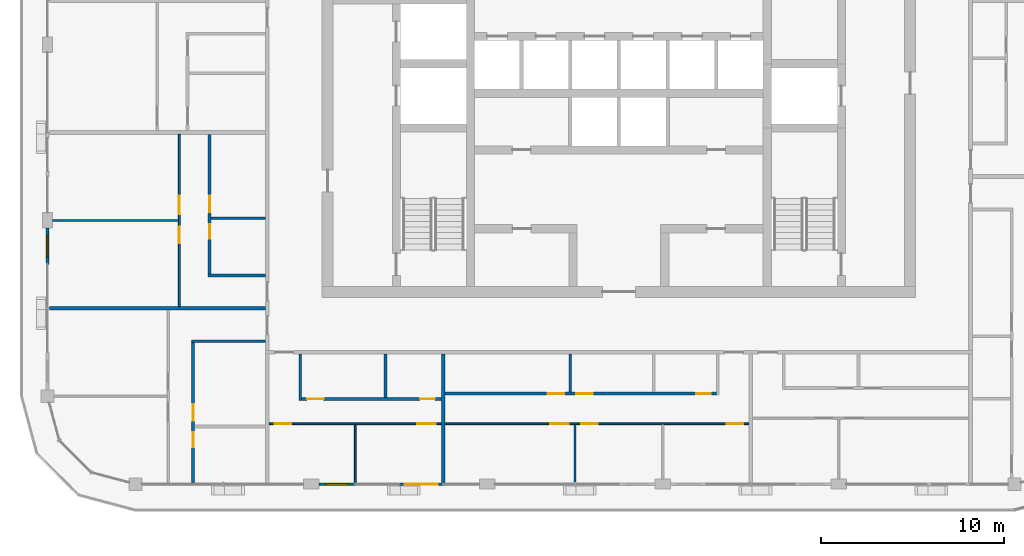
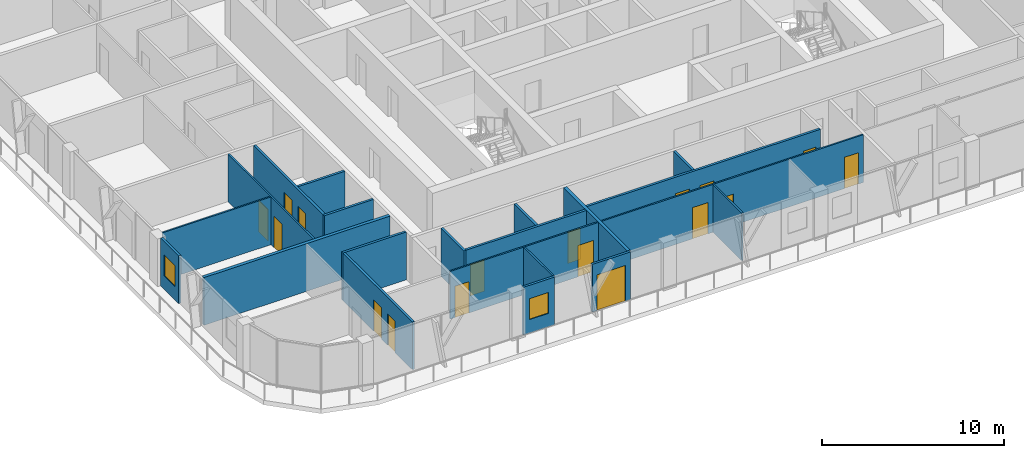
# One storey, part 9 of 21: 21 walls, 17 doors, 2 windows, 19 openings.
"""IFC4 building model written with IfcOpenShell, lengths in metres."""

from ifc_helpers import new_model, si_unit, direction, frame, frame_2d, origin, place, context, subcontext, project, spatial, rectangle, extrude, material, layer, layer_set, type_object, element, fill, save


model = new_model("IFC4")

# Units and contexts
model_context = context("Model", 3, precision=1e-05, world=origin(), true_north=direction((0.0, 1.0)))
body_context = subcontext(model_context, "Body", "Model", "MODEL_VIEW")
ifc_project = project(units=[si_unit("LENGTHUNIT", "METRE"), si_unit("AREAUNIT", "SQUARE_METRE"), si_unit("VOLUMEUNIT", "CUBIC_METRE"), si_unit("PLANEANGLEUNIT", "RADIAN"), si_unit("MASSUNIT", "GRAM", prefix="KILO")], contexts=[model_context])

# Site, building, storey
site_placement = place(None, origin())
site = spatial("IfcSite", under=ifc_project, at=site_placement, CompositionType="ELEMENT")
building_placement = place(site_placement, origin())
building = spatial("IfcBuilding", under=site, at=building_placement, Name="Madar Terraces", CompositionType="ELEMENT")
storey_placement = place(building_placement, frame((0.0, 0.0, 252.699951171875)))
storey = spatial("IfcBuildingStorey", under=building, at=storey_placement, Name="L66", CompositionType="ELEMENT", Elevation=252.699951171875)

# Wall, opening, window
ifc_material_1 = material(Name="Aluminium composite panel, black, over insulated backing", Category="aluminium")
ifc_layer_1 = layer(ifc_material_1, 0.14990234375)
ifc_layer_set_1 = layer_set([ifc_layer_1], Name="Facade bay panel 150")
wall_type_1 = type_object("IfcWallType", Name="Facade bay panel 150", PredefinedType="SOLIDWALL", material=ifc_layer_set_1)
wall_1_placement = place(storey_placement, frame((14.824951171875, 4.800048828125, 0.0), z_axis=(0.0, 0.0, 1.0), x_axis=(1.0, 0.0, 0.0)))
wall_1 = element("IfcWall", 1, at=wall_1_placement, inside=storey, type_object=wall_type_1, Name="Facade bay panel", PredefinedType="SOLIDWALL", context=body_context, shape_type="SweptSolid", body=[
    extrude(rectangle(XDim=1.97509765625, YDim=0.14990234375, at=frame_2d((0.987548828125, 0.0))), origin(), (0.0, 0.0, 1.0), 3.199951171875),
])
opening_1_placement = place(wall_1_placement, frame((0.387451171875, 0.0, 0.89990234375)))
opening_1 = element("IfcOpeningElement", 2, at=opening_1_placement, cuts=wall_1, Name="Opening W1", PredefinedType="OPENING", context=body_context, shape_type="SweptSolid", body=[
    extrude(rectangle(XDim=1.199951171875, YDim=1.39990234375, at=frame_2d((0.60009765625, 0.699951171875))), frame((0.0, 0.0849609375, 0.0), z_axis=(0.0, -1.0, 0.0), x_axis=(1.0, 0.0, 0.0)), (0.0, 0.0, 1.0), 0.169921875),
])
ifc_material_2 = material(Name="Glass, clear, with black aluminium frame", Category="aluminium")
window_type = type_object("IfcWindowType", Name="Vent window 1200 x 1400", PartitioningType="SINGLE_PANEL", PredefinedType="WINDOW", material=ifc_material_2)
window_1_placement = place(opening_1_placement, origin())
window_1 = element("IfcWindow", 3, at=window_1_placement, inside=storey, type_object=window_type, Name="Operable vent window", OverallHeight=1.39990234375, OverallWidth=1.199951171875, PartitioningType="SINGLE_PANEL", PredefinedType="WINDOW", context=body_context, shape_type="SweptSolid", body=[
    extrude(rectangle(XDim=1.199951171875, YDim=1.39990234375, at=frame_2d((0.60009765625, 0.699951171875))), frame((0.0, 0.030029296875, 0.0), z_axis=(0.0, -1.0, 0.0), x_axis=(1.0, 0.0, 0.0)), (0.0, 0.0, 1.0), 0.06005859375),
])
fill(opening_1, window_1)

# Wall, opening, door
wall_2_placement = place(storey_placement, frame((19.199951171875, 4.800048828125, 0.0), z_axis=(0.0, 0.0, 1.0), x_axis=(1.0, 0.0, 0.0)))
wall_2 = element("IfcWall", 4, at=wall_2_placement, inside=storey, type_object=wall_type_1, Name="Facade bay panel", PredefinedType="SOLIDWALL", context=body_context, shape_type="SweptSolid", body=[
    extrude(rectangle(XDim=2.400146484375, YDim=0.14990234375, at=frame_2d((1.2001953125, 0.0))), origin(), (0.0, 0.0, 1.0), 3.199951171875),
])
opening_2_placement = place(wall_2_placement, frame((0.300048828125, 0.0, 0.0)))
opening_2 = element("IfcOpeningElement", 5, at=opening_2_placement, cuts=wall_2, Name="Opening ED1", PredefinedType="OPENING", context=body_context, shape_type="SweptSolid", body=[
    extrude(rectangle(XDim=1.800048828125, YDim=2.39990234375, at=frame_2d((0.89990234375, 1.199951171875))), frame((0.0, 0.0849609375, 0.0), z_axis=(0.0, -1.0, 0.0), x_axis=(1.0, 0.0, 0.0)), (0.0, 0.0, 1.0), 0.169921875),
])
ifc_material_3 = material(Name="Glass, clear, with black aluminium frame", Category="aluminium")
door_type_1 = type_object("IfcDoorType", Name="Balcony and terrace sliding door 1800 x 2400", OperationType="SLIDING_TO_LEFT", PredefinedType="DOOR", material=ifc_material_3)
door_1_placement = place(opening_2_placement, origin())
door_1 = element("IfcDoor", 6, at=door_1_placement, inside=storey, type_object=door_type_1, Name="Balcony door", OperationType="SLIDING_TO_LEFT", OverallHeight=2.39990234375, OverallWidth=1.800048828125, PredefinedType="DOOR", context=body_context, shape_type="SweptSolid", body=[
    extrude(rectangle(XDim=1.800048828125, YDim=2.39990234375, at=frame_2d((0.89990234375, 1.199951171875))), frame((0.0, 0.02490234375, 0.0), z_axis=(0.0, -1.0, 0.0), x_axis=(1.0, 0.0, 0.0)), (0.0, 0.0, 1.0), 0.050048828125),
])
fill(opening_2, door_1)

# Wall, opening, window
wall_3_placement = place(storey_placement, frame((0.0, 18.77490234375, 0.0), z_axis=(0.0, 0.0, 1.0), x_axis=(0.0, -1.0, 0.0)))
wall_3 = element("IfcWall", 7, at=wall_3_placement, inside=storey, type_object=wall_type_1, Name="Facade bay panel", PredefinedType="SOLIDWALL", context=body_context, shape_type="SweptSolid", body=[
    extrude(rectangle(XDim=1.974853515625, YDim=0.14990234375, at=frame_2d((0.9873046875, 0.0))), origin(), (0.0, 0.0, 1.0), 3.199951171875),
])
opening_3_placement = place(wall_3_placement, frame((0.387451171875, 0.0, 0.89990234375)))
opening_3 = element("IfcOpeningElement", 8, at=opening_3_placement, cuts=wall_3, Name="Opening W1", PredefinedType="OPENING", context=body_context, shape_type="SweptSolid", body=[
    extrude(rectangle(XDim=1.199951171875, YDim=1.39990234375, at=frame_2d((0.60009765625, 0.699951171875))), frame((0.0, 0.0849609375, 0.0), z_axis=(0.0, -1.0, 0.0), x_axis=(1.0, 0.0, 0.0)), (0.0, 0.0, 1.0), 0.169921875),
])
window_2_placement = place(opening_3_placement, origin())
window_2 = element("IfcWindow", 9, at=window_2_placement, inside=storey, type_object=window_type, Name="Operable vent window", OverallHeight=1.39990234375, OverallWidth=1.199951171875, PartitioningType="SINGLE_PANEL", PredefinedType="WINDOW", context=body_context, shape_type="SweptSolid", body=[
    extrude(rectangle(XDim=1.199951171875, YDim=1.39990234375, at=frame_2d((0.60009765625, 0.699951171875))), frame((0.0, 0.030029296875, 0.0), z_axis=(0.0, -1.0, 0.0), x_axis=(1.0, 0.0, 0.0)), (0.0, 0.0, 1.0), 0.06005859375),
])
fill(opening_3, window_2)

# Wall
ifc_material_4 = material(Name="Gypsum board on steel studs", Category="steel")
ifc_layer_2 = layer(ifc_material_4, 0.10009765625)
ifc_layer_set_2 = layer_set([ifc_layer_2], Name="Flat partition 100")
wall_type_2 = type_object("IfcWallType", Name="Flat partition 100", PredefinedType="PARTITIONING", material=ifc_layer_set_2)
wall_4_placement = place(storey_placement, frame((16.800048828125, 8.050048828125, 0.0), z_axis=(0.0, 0.0, 1.0), x_axis=(0.0, -1.0, 0.0)))
element("IfcWall", 10, at=wall_4_placement, inside=storey, type_object=wall_type_2, Name="Flat partition 100", PredefinedType="PARTITIONING", context=body_context, shape_type="SweptSolid", body=[
    extrude(rectangle(XDim=3.150146484375, YDim=0.10009765625, at=frame_2d((1.5751953125, 0.0))), origin(), (0.0, 0.0, 1.0), 3.199951171875),
])

# Wall, openings, doors
wall_5_placement = place(storey_placement, frame((21.5, 8.10009765625, 0.0), z_axis=(0.0, 0.0, 1.0), x_axis=(-1.0, 0.0, 0.0)))
wall_5 = element("IfcWall", 11, at=wall_5_placement, inside=storey, type_object=wall_type_2, Name="Flat partition 100", PredefinedType="PARTITIONING", context=body_context, shape_type="SweptSolid", body=[
    extrude(rectangle(XDim=9.39990234375, YDim=0.10009765625, at=frame_2d((4.699951171875, 0.0))), origin(), (0.0, 0.0, 1.0), 3.199951171875),
])
opening_4_placement = place(wall_5_placement, frame((8.199951171875, 0.0, 0.0)))
opening_4 = element("IfcOpeningElement", 12, at=opening_4_placement, cuts=wall_5, Name="Opening D2", PredefinedType="OPENING", context=body_context, shape_type="SweptSolid", body=[
    extrude(rectangle(XDim=0.89990234375, YDim=2.10009765625, at=frame_2d((0.449951171875, 1.050048828125))), frame((0.0, 0.06005859375, 0.0), z_axis=(0.0, -1.0, 0.0), x_axis=(1.0, 0.0, 0.0)), (0.0, 0.0, 1.0), 0.1201171875),
])
opening_5_placement = place(wall_5_placement, frame((0.300048828125, 0.0, 0.0)))
opening_5 = element("IfcOpeningElement", 13, at=opening_5_placement, cuts=wall_5, Name="Opening D3", PredefinedType="OPENING", context=body_context, shape_type="SweptSolid", body=[
    extrude(rectangle(XDim=1.0, YDim=2.10009765625, at=frame_2d((0.5, 1.050048828125))), frame((0.0, 0.06005859375, 0.0), z_axis=(0.0, -1.0, 0.0), x_axis=(1.0, 0.0, 0.0)), (0.0, 0.0, 1.0), 0.1201171875),
])
ifc_material_5 = material(Name="Timber door leaf", Category="wood")
door_type_2 = type_object("IfcDoorType", Name="Flat living room door 1000", OperationType="NOTDEFINED", PredefinedType="DOOR", material=ifc_material_5)
door_2_placement = place(opening_5_placement, origin())
door_2 = element("IfcDoor", 14, at=door_2_placement, inside=storey, type_object=door_type_2, Name="Flat living room door 1000", OperationType="SINGLE_SWING_LEFT", OverallHeight=2.10009765625, OverallWidth=1.0, PredefinedType="DOOR", context=body_context, shape_type="SweptSolid", body=[
    extrude(rectangle(XDim=1.0, YDim=2.10009765625, at=frame_2d((0.5, 1.050048828125))), frame((0.0, 0.02490234375, 0.0), z_axis=(0.0, -1.0, 0.0), x_axis=(1.0, 0.0, 0.0)), (0.0, 0.0, 1.0), 0.050048828125),
])
fill(opening_5, door_2)
ifc_material_6 = material(Name="Timber door leaf", Category="wood")
door_type_3 = type_object("IfcDoorType", Name="Flat room door 900", OperationType="NOTDEFINED", PredefinedType="DOOR", material=ifc_material_6)
door_3_placement = place(opening_4_placement, origin())
door_3 = element("IfcDoor", 15, at=door_3_placement, inside=storey, type_object=door_type_3, Name="Flat room door 900", OperationType="SINGLE_SWING_RIGHT", OverallHeight=2.10009765625, OverallWidth=0.89990234375, PredefinedType="DOOR", context=body_context, shape_type="SweptSolid", body=[
    extrude(rectangle(XDim=0.89990234375, YDim=2.10009765625, at=frame_2d((0.449951171875, 1.050048828125))), frame((0.0, 0.02490234375, 0.0), z_axis=(0.0, -1.0, 0.0), x_axis=(1.0, 0.0, 0.0)), (0.0, 0.0, 1.0), 0.050048828125),
])
fill(opening_4, door_3)

# Wall
wall_6_placement = place(storey_placement, frame((28.800048828125, 8.050048828125, 0.0), z_axis=(0.0, 0.0, 1.0), x_axis=(0.0, -1.0, 0.0)))
element("IfcWall", 16, at=wall_6_placement, inside=storey, type_object=wall_type_2, Name="Flat partition 100", PredefinedType="PARTITIONING", context=body_context, shape_type="SweptSolid", body=[
    extrude(rectangle(XDim=3.150146484375, YDim=0.10009765625, at=frame_2d((1.5751953125, 0.0))), origin(), (0.0, 0.0, 1.0), 3.199951171875),
])

# Wall, openings, doors
wall_7_placement = place(storey_placement, frame((38.300048828125, 8.10009765625, 0.0), z_axis=(0.0, 0.0, 1.0), x_axis=(-1.0, 0.0, 0.0)))
wall_7 = element("IfcWall", 17, at=wall_7_placement, inside=storey, type_object=wall_type_2, Name="Flat partition 100", PredefinedType="PARTITIONING", context=body_context, shape_type="SweptSolid", body=[
    extrude(rectangle(XDim=16.60009765625, YDim=0.10009765625, at=frame_2d((8.300048828125, 0.0))), origin(), (0.0, 0.0, 1.0), 3.199951171875),
])
opening_6_placement = place(wall_7_placement, frame((0.300048828125, 0.0, 0.0)))
opening_6 = element("IfcOpeningElement", 18, at=opening_6_placement, cuts=wall_7, Name="Opening D2", PredefinedType="OPENING", context=body_context, shape_type="SweptSolid", body=[
    extrude(rectangle(XDim=0.89990234375, YDim=2.10009765625, at=frame_2d((0.449951171875, 1.050048828125))), frame((0.0, 0.06005859375, 0.0), z_axis=(0.0, -1.0, 0.0), x_axis=(1.0, 0.0, 0.0)), (0.0, 0.0, 1.0), 0.1201171875),
])
opening_7_placement = place(wall_7_placement, frame((8.25, 0.0, 0.0)))
opening_7 = element("IfcOpeningElement", 19, at=opening_7_placement, cuts=wall_7, Name="Opening D2", PredefinedType="OPENING", context=body_context, shape_type="SweptSolid", body=[
    extrude(rectangle(XDim=0.89990234375, YDim=2.10009765625, at=frame_2d((0.449951171875, 1.050048828125))), frame((0.0, 0.06005859375, 0.0), z_axis=(0.0, -1.0, 0.0), x_axis=(1.0, 0.0, 0.0)), (0.0, 0.0, 1.0), 0.1201171875),
])
opening_8_placement = place(wall_7_placement, frame((9.85009765625, 0.0, 0.0)))
opening_8 = element("IfcOpeningElement", 20, at=opening_8_placement, cuts=wall_7, Name="Opening D3", PredefinedType="OPENING", context=body_context, shape_type="SweptSolid", body=[
    extrude(rectangle(XDim=1.0, YDim=2.10009765625, at=frame_2d((0.5, 1.050048828125))), frame((0.0, 0.06005859375, 0.0), z_axis=(0.0, -1.0, 0.0), x_axis=(1.0, 0.0, 0.0)), (0.0, 0.0, 1.0), 0.1201171875),
])
door_4_placement = place(opening_8_placement, origin())
door_4 = element("IfcDoor", 21, at=door_4_placement, inside=storey, type_object=door_type_2, Name="Flat living room door 1000", OperationType="SINGLE_SWING_LEFT", OverallHeight=2.10009765625, OverallWidth=1.0, PredefinedType="DOOR", context=body_context, shape_type="SweptSolid", body=[
    extrude(rectangle(XDim=1.0, YDim=2.10009765625, at=frame_2d((0.5, 1.050048828125))), frame((0.0, 0.02490234375, 0.0), z_axis=(0.0, -1.0, 0.0), x_axis=(1.0, 0.0, 0.0)), (0.0, 0.0, 1.0), 0.050048828125),
])
fill(opening_8, door_4)
door_5_placement = place(opening_6_placement, origin())
door_5 = element("IfcDoor", 22, at=door_5_placement, inside=storey, type_object=door_type_3, Name="Flat room door 900", OperationType="SINGLE_SWING_LEFT", OverallHeight=2.10009765625, OverallWidth=0.89990234375, PredefinedType="DOOR", context=body_context, shape_type="SweptSolid", body=[
    extrude(rectangle(XDim=0.89990234375, YDim=2.10009765625, at=frame_2d((0.449951171875, 1.050048828125))), frame((0.0, 0.02490234375, 0.0), z_axis=(0.0, -1.0, 0.0), x_axis=(1.0, 0.0, 0.0)), (0.0, 0.0, 1.0), 0.050048828125),
])
fill(opening_6, door_5)
door_6_placement = place(opening_7_placement, origin())
door_6 = element("IfcDoor", 23, at=door_6_placement, inside=storey, type_object=door_type_3, Name="Flat room door 900", OperationType="SINGLE_SWING_RIGHT", OverallHeight=2.10009765625, OverallWidth=0.89990234375, PredefinedType="DOOR", context=body_context, shape_type="SweptSolid", body=[
    extrude(rectangle(XDim=0.89990234375, YDim=2.10009765625, at=frame_2d((0.449951171875, 1.050048828125))), frame((0.0, 0.02490234375, 0.0), z_axis=(0.0, -1.0, 0.0), x_axis=(1.0, 0.0, 0.0)), (0.0, 0.0, 1.0), 0.050048828125),
])
fill(opening_7, door_6)

# Wall
wall_8_placement = place(storey_placement, frame((7.14990234375, 19.199951171875, 0.0), z_axis=(0.0, 0.0, 1.0), x_axis=(-1.0, 0.0, 0.0)))
element("IfcWall", 24, at=wall_8_placement, inside=storey, type_object=wall_type_2, Name="Flat partition 100", PredefinedType="PARTITIONING", context=body_context, shape_type="SweptSolid", body=[
    extrude(rectangle(XDim=6.875, YDim=0.10009765625, at=frame_2d((3.4375, 0.0))), origin(), (0.0, 0.0, 1.0), 3.199951171875),
])

# Wall, openings, doors
wall_9_placement = place(storey_placement, frame((7.199951171875, 14.5, 0.0), z_axis=(0.0, 0.0, 1.0), x_axis=(0.0, 1.0, 0.0)))
wall_9 = element("IfcWall", 25, at=wall_9_placement, inside=storey, type_object=wall_type_2, Name="Flat partition 100", PredefinedType="PARTITIONING", context=body_context, shape_type="SweptSolid", body=[
    extrude(rectangle(XDim=9.39990234375, YDim=0.10009765625, at=frame_2d((4.699951171875, 0.0))), origin(), (0.0, 0.0, 1.0), 3.199951171875),
])
opening_9_placement = place(wall_9_placement, frame((3.449951171875, 0.0, 0.0)))
opening_9 = element("IfcOpeningElement", 26, at=opening_9_placement, cuts=wall_9, Name="Opening D2", PredefinedType="OPENING", context=body_context, shape_type="SweptSolid", body=[
    extrude(rectangle(XDim=0.89990234375, YDim=2.10009765625, at=frame_2d((0.449951171875, 1.050048828125))), frame((0.0, 0.06005859375, 0.0), z_axis=(0.0, -1.0, 0.0), x_axis=(1.0, 0.0, 0.0)), (0.0, 0.0, 1.0), 0.1201171875),
])
opening_10_placement = place(wall_9_placement, frame((5.050048828125, 0.0, 0.0)))
opening_10 = element("IfcOpeningElement", 27, at=opening_10_placement, cuts=wall_9, Name="Opening D3", PredefinedType="OPENING", context=body_context, shape_type="SweptSolid", body=[
    extrude(rectangle(XDim=1.0, YDim=2.10009765625, at=frame_2d((0.5, 1.050048828125))), frame((0.0, 0.06005859375, 0.0), z_axis=(0.0, -1.0, 0.0), x_axis=(1.0, 0.0, 0.0)), (0.0, 0.0, 1.0), 0.1201171875),
])
door_7_placement = place(opening_10_placement, origin())
door_7 = element("IfcDoor", 28, at=door_7_placement, inside=storey, type_object=door_type_2, Name="Flat living room door 1000", OperationType="SINGLE_SWING_LEFT", OverallHeight=2.10009765625, OverallWidth=1.0, PredefinedType="DOOR", context=body_context, shape_type="SweptSolid", body=[
    extrude(rectangle(XDim=1.0, YDim=2.10009765625, at=frame_2d((0.5, 1.050048828125))), frame((0.0, 0.02490234375, 0.0), z_axis=(0.0, -1.0, 0.0), x_axis=(1.0, 0.0, 0.0)), (0.0, 0.0, 1.0), 0.050048828125),
])
fill(opening_10, door_7)
door_8_placement = place(opening_9_placement, origin())
door_8 = element("IfcDoor", 29, at=door_8_placement, inside=storey, type_object=door_type_3, Name="Flat room door 900", OperationType="SINGLE_SWING_RIGHT", OverallHeight=2.10009765625, OverallWidth=0.89990234375, PredefinedType="DOOR", context=body_context, shape_type="SweptSolid", body=[
    extrude(rectangle(XDim=0.89990234375, YDim=2.10009765625, at=frame_2d((0.449951171875, 1.050048828125))), frame((0.0, 0.02490234375, 0.0), z_axis=(0.0, -1.0, 0.0), x_axis=(1.0, 0.0, 0.0)), (0.0, 0.0, 1.0), 0.050048828125),
])
fill(opening_9, door_8)

# Walls
ifc_material_7 = material(Name="Lightweight blockwork", Category="masonry")
ifc_layer_3 = layer(ifc_material_7, 0.199951171875)
ifc_layer_set_3 = layer_set([ifc_layer_3], Name="Flat party and entrance wall 200")
wall_type_3 = type_object("IfcWallType", Name="Flat party and entrance wall 200", PredefinedType="PARTITIONING", material=ifc_layer_set_3)
wall_10_placement = place(storey_placement, frame((21.60009765625, 11.89990234375, 0.0), z_axis=(0.0, 0.0, 1.0), x_axis=(0.0, -1.0, 0.0)))
element("IfcWall", 30, at=wall_10_placement, inside=storey, type_object=wall_type_3, Name="Flat party and entrance wall 200", PredefinedType="PARTITIONING", context=body_context, shape_type="SweptSolid", body=[
    extrude(rectangle(XDim=7.0, YDim=0.199951171875, at=frame_2d((3.5, 0.0))), origin(), (0.0, 0.0, 1.0), 3.199951171875),
])
wall_11_placement = place(storey_placement, frame((0.10009765625, 14.39990234375, 0.0), z_axis=(0.0, 0.0, 1.0), x_axis=(1.0, 0.0, 0.0)))
element("IfcWall", 31, at=wall_11_placement, inside=storey, type_object=wall_type_3, Name="Flat party and entrance wall 200", PredefinedType="PARTITIONING", context=body_context, shape_type="SweptSolid", body=[
    extrude(rectangle(XDim=11.7998046875, YDim=0.199951171875, at=frame_2d((5.89990234375, 0.0))), origin(), (0.0, 0.0, 1.0), 3.199951171875),
])
ifc_material_8 = material(Name="Lightweight blockwork", Category="masonry")
ifc_layer_4 = layer(ifc_material_8, 0.14990234375)
ifc_layer_set_4 = layer_set([ifc_layer_4], Name="Flat wet-room partition 150")
wall_type_4 = type_object("IfcWallType", Name="Flat wet-room partition 150", PredefinedType="PARTITIONING", material=ifc_layer_set_4)
wall_12_placement = place(storey_placement, frame((18.449951171875, 11.89990234375, 0.0), z_axis=(0.0, 0.0, 1.0), x_axis=(0.0, -1.0, 0.0)))
element("IfcWall", 32, at=wall_12_placement, inside=storey, type_object=wall_type_4, Name="Flat wet-room partition 150", PredefinedType="PARTITIONING", context=body_context, shape_type="SweptSolid", body=[
    extrude(rectangle(XDim=2.375, YDim=0.14990234375, at=frame_2d((1.1875, 0.0))), origin(), (0.0, 0.0, 1.0), 3.199951171875),
])
wall_13_placement = place(storey_placement, frame((13.800048828125, 11.89990234375, 0.0), z_axis=(0.0, 0.0, 1.0), x_axis=(0.0, -1.0, 0.0)))
element("IfcWall", 33, at=wall_13_placement, inside=storey, type_object=wall_type_4, Name="Flat wet-room partition 150", PredefinedType="PARTITIONING", context=body_context, shape_type="SweptSolid", body=[
    extrude(rectangle(XDim=2.52490234375, YDim=0.14990234375, at=frame_2d((1.262451171875, 0.0))), origin(), (0.0, 0.0, 1.0), 3.199951171875),
])

# Wall, openings, doors
wall_14_placement = place(storey_placement, frame((13.875, 9.449951171875, 0.0), z_axis=(0.0, 0.0, 1.0), x_axis=(1.0, 0.0, 0.0)))
wall_14 = element("IfcWall", 34, at=wall_14_placement, inside=storey, type_object=wall_type_4, Name="Flat wet-room partition 150", PredefinedType="PARTITIONING", context=body_context, shape_type="SweptSolid", body=[
    extrude(rectangle(XDim=7.625, YDim=0.14990234375, at=frame_2d((3.8125, 0.0))), origin(), (0.0, 0.0, 1.0), 3.199951171875),
])
opening_11_placement = place(wall_14_placement, frame((0.300048828125, 0.0, 0.0)))
opening_11 = element("IfcOpeningElement", 35, at=opening_11_placement, cuts=wall_14, Name="Opening D2", PredefinedType="OPENING", context=body_context, shape_type="SweptSolid", body=[
    extrude(rectangle(XDim=0.89990234375, YDim=2.10009765625, at=frame_2d((0.449951171875, 1.050048828125))), frame((0.0, 0.0849609375, 0.0), z_axis=(0.0, -1.0, 0.0), x_axis=(1.0, 0.0, 0.0)), (0.0, 0.0, 1.0), 0.169921875),
])
opening_12_placement = place(wall_14_placement, frame((6.47509765625, 0.0, 0.0)))
opening_12 = element("IfcOpeningElement", 36, at=opening_12_placement, cuts=wall_14, Name="Opening D4", PredefinedType="OPENING", context=body_context, shape_type="SweptSolid", body=[
    extrude(rectangle(XDim=0.800048828125, YDim=2.10009765625, at=frame_2d((0.39990234375, 1.050048828125))), frame((0.0, 0.0849609375, 0.0), z_axis=(0.0, -1.0, 0.0), x_axis=(1.0, 0.0, 0.0)), (0.0, 0.0, 1.0), 0.169921875),
])
ifc_material_9 = material(Name="Timber door leaf", Category="wood")
door_type_4 = type_object("IfcDoorType", Name="Flat bathroom door 800", OperationType="NOTDEFINED", PredefinedType="DOOR", material=ifc_material_9)
door_9_placement = place(opening_12_placement, origin())
door_9 = element("IfcDoor", 37, at=door_9_placement, inside=storey, type_object=door_type_4, Name="Flat bathroom door 800", OperationType="SINGLE_SWING_RIGHT", OverallHeight=2.10009765625, OverallWidth=0.800048828125, PredefinedType="DOOR", context=body_context, shape_type="SweptSolid", body=[
    extrude(rectangle(XDim=0.800048828125, YDim=2.10009765625, at=frame_2d((0.39990234375, 1.050048828125))), frame((0.0, 0.02490234375, 0.0), z_axis=(0.0, -1.0, 0.0), x_axis=(1.0, 0.0, 0.0)), (0.0, 0.0, 1.0), 0.050048828125),
])
fill(opening_12, door_9)
door_10_placement = place(opening_11_placement, origin())
door_10 = element("IfcDoor", 38, at=door_10_placement, inside=storey, type_object=door_type_3, Name="Flat room door 900", OperationType="SINGLE_SWING_LEFT", OverallHeight=2.10009765625, OverallWidth=0.89990234375, PredefinedType="DOOR", context=body_context, shape_type="SweptSolid", body=[
    extrude(rectangle(XDim=0.89990234375, YDim=2.10009765625, at=frame_2d((0.449951171875, 1.050048828125))), frame((0.0, 0.02490234375, 0.0), z_axis=(0.0, -1.0, 0.0), x_axis=(1.0, 0.0, 0.0)), (0.0, 0.0, 1.0), 0.050048828125),
])
fill(opening_11, door_10)

# Wall
wall_15_placement = place(storey_placement, frame((28.542236328125, 11.89990234375, 0.0), z_axis=(0.0, 0.0, 1.0), x_axis=(0.0, -1.0, 0.0)))
element("IfcWall", 39, at=wall_15_placement, inside=storey, type_object=wall_type_4, Name="Flat wet-room partition 150", PredefinedType="PARTITIONING", context=body_context, shape_type="SweptSolid", body=[
    extrude(rectangle(XDim=2.074951171875, YDim=0.14990234375, at=frame_2d((1.03759765625, 0.0))), origin(), (0.0, 0.0, 1.0), 3.199951171875),
])

# Wall, openings, doors
wall_16_placement = place(storey_placement, frame((21.699951171875, 9.75, 0.0), z_axis=(0.0, 0.0, 1.0), x_axis=(1.0, 0.0, 0.0)))
wall_16 = element("IfcWall", 40, at=wall_16_placement, inside=storey, type_object=wall_type_4, Name="Flat wet-room partition 150", PredefinedType="PARTITIONING", context=body_context, shape_type="SweptSolid", body=[
    extrude(rectangle(XDim=14.824951171875, YDim=0.14990234375, at=frame_2d((7.41259765625, 0.0))), origin(), (0.0, 0.0, 1.0), 3.199951171875),
])
opening_13_placement = place(wall_16_placement, frame((13.72509765625, 0.0, 0.0)))
opening_13 = element("IfcOpeningElement", 41, at=opening_13_placement, cuts=wall_16, Name="Opening D4", PredefinedType="OPENING", context=body_context, shape_type="SweptSolid", body=[
    extrude(rectangle(XDim=0.800048828125, YDim=2.10009765625, at=frame_2d((0.39990234375, 1.050048828125))), frame((0.0, 0.0849609375, 0.0), z_axis=(0.0, -1.0, 0.0), x_axis=(1.0, 0.0, 0.0)), (0.0, 0.0, 1.0), 0.169921875),
])
opening_14_placement = place(wall_16_placement, frame((7.167236328125, 0.0, 0.0)))
opening_14 = element("IfcOpeningElement", 42, at=opening_14_placement, cuts=wall_16, Name="Opening D5", PredefinedType="OPENING", context=body_context, shape_type="SweptSolid", body=[
    extrude(rectangle(XDim=0.89990234375, YDim=2.10009765625, at=frame_2d((0.449951171875, 1.050048828125))), frame((0.0, 0.0849609375, 0.0), z_axis=(0.0, -1.0, 0.0), x_axis=(1.0, 0.0, 0.0)), (0.0, 0.0, 1.0), 0.169921875),
])
opening_15_placement = place(wall_16_placement, frame((5.6171875, 0.0, 0.0)))
opening_15 = element("IfcOpeningElement", 43, at=opening_15_placement, cuts=wall_16, Name="Opening D2", PredefinedType="OPENING", context=body_context, shape_type="SweptSolid", body=[
    extrude(rectangle(XDim=0.89990234375, YDim=2.10009765625, at=frame_2d((0.449951171875, 1.050048828125))), frame((0.0, 0.0849609375, 0.0), z_axis=(0.0, -1.0, 0.0), x_axis=(1.0, 0.0, 0.0)), (0.0, 0.0, 1.0), 0.169921875),
])
ifc_material_10 = material(Name="Timber door leaf", Category="wood")
door_type_5 = type_object("IfcDoorType", Name="Flat accessible bathroom door 900", OperationType="NOTDEFINED", PredefinedType="DOOR", material=ifc_material_10)
door_11_placement = place(opening_14_placement, origin())
door_11 = element("IfcDoor", 44, at=door_11_placement, inside=storey, type_object=door_type_5, Name="Flat accessible bathroom door 900", OperationType="SINGLE_SWING_LEFT", OverallHeight=2.10009765625, OverallWidth=0.89990234375, PredefinedType="DOOR", context=body_context, shape_type="SweptSolid", body=[
    extrude(rectangle(XDim=0.89990234375, YDim=2.10009765625, at=frame_2d((0.449951171875, 1.050048828125))), frame((0.0, 0.02490234375, 0.0), z_axis=(0.0, -1.0, 0.0), x_axis=(1.0, 0.0, 0.0)), (0.0, 0.0, 1.0), 0.050048828125),
])
fill(opening_14, door_11)
door_12_placement = place(opening_13_placement, origin())
door_12 = element("IfcDoor", 45, at=door_12_placement, inside=storey, type_object=door_type_4, Name="Flat bathroom door 800", OperationType="SINGLE_SWING_RIGHT", OverallHeight=2.10009765625, OverallWidth=0.800048828125, PredefinedType="DOOR", context=body_context, shape_type="SweptSolid", body=[
    extrude(rectangle(XDim=0.800048828125, YDim=2.10009765625, at=frame_2d((0.39990234375, 1.050048828125))), frame((0.0, 0.02490234375, 0.0), z_axis=(0.0, -1.0, 0.0), x_axis=(1.0, 0.0, 0.0)), (0.0, 0.0, 1.0), 0.050048828125),
])
fill(opening_13, door_12)
door_13_placement = place(opening_15_placement, origin())
door_13 = element("IfcDoor", 46, at=door_13_placement, inside=storey, type_object=door_type_3, Name="Flat room door 900", OperationType="SINGLE_SWING_RIGHT", OverallHeight=2.10009765625, OverallWidth=0.89990234375, PredefinedType="DOOR", context=body_context, shape_type="SweptSolid", body=[
    extrude(rectangle(XDim=0.89990234375, YDim=2.10009765625, at=frame_2d((0.449951171875, 1.050048828125))), frame((0.0, 0.02490234375, 0.0), z_axis=(0.0, -1.0, 0.0), x_axis=(1.0, 0.0, 0.0)), (0.0, 0.0, 1.0), 0.050048828125),
])
fill(opening_15, door_13)

# Walls
wall_17_placement = place(storey_placement, frame((11.89990234375, 19.324951171875, 0.0), z_axis=(0.0, 0.0, 1.0), x_axis=(-1.0, 0.0, 0.0)))
element("IfcWall", 47, at=wall_17_placement, inside=storey, type_object=wall_type_4, Name="Flat wet-room partition 150", PredefinedType="PARTITIONING", context=body_context, shape_type="SweptSolid", body=[
    extrude(rectangle(XDim=2.974853515625, YDim=0.14990234375, at=frame_2d((1.4873046875, 0.0))), origin(), (0.0, 0.0, 1.0), 3.199951171875),
])
wall_18_placement = place(storey_placement, frame((11.89990234375, 16.199951171875, 0.0), z_axis=(0.0, 0.0, 1.0), x_axis=(-1.0, 0.0, 0.0)))
element("IfcWall", 48, at=wall_18_placement, inside=storey, type_object=wall_type_4, Name="Flat wet-room partition 150", PredefinedType="PARTITIONING", context=body_context, shape_type="SweptSolid", body=[
    extrude(rectangle(XDim=3.125, YDim=0.14990234375, at=frame_2d((1.5625, 0.0))), origin(), (0.0, 0.0, 1.0), 3.199951171875),
])

# Wall, openings, doors
wall_19_placement = place(storey_placement, frame((8.85009765625, 23.89990234375, 0.0), z_axis=(0.0, 0.0, 1.0), x_axis=(0.0, -1.0, 0.0)))
wall_19 = element("IfcWall", 49, at=wall_19_placement, inside=storey, type_object=wall_type_4, Name="Flat wet-room partition 150", PredefinedType="PARTITIONING", context=body_context, shape_type="SweptSolid", body=[
    extrude(rectangle(XDim=7.625, YDim=0.14990234375, at=frame_2d((3.8125, 0.0))), origin(), (0.0, 0.0, 1.0), 3.199951171875),
])
opening_16_placement = place(wall_19_placement, frame((4.89990234375, 0.0, 0.0)))
opening_16 = element("IfcOpeningElement", 50, at=opening_16_placement, cuts=wall_19, Name="Opening D4", PredefinedType="OPENING", context=body_context, shape_type="SweptSolid", body=[
    extrude(rectangle(XDim=0.800048828125, YDim=2.10009765625, at=frame_2d((0.39990234375, 1.050048828125))), frame((0.0, 0.0849609375, 0.0), z_axis=(0.0, -1.0, 0.0), x_axis=(1.0, 0.0, 0.0)), (0.0, 0.0, 1.0), 0.169921875),
])
opening_17_placement = place(wall_19_placement, frame((3.35009765625, 0.0, 0.0)))
opening_17 = element("IfcOpeningElement", 51, at=opening_17_placement, cuts=wall_19, Name="Opening D2", PredefinedType="OPENING", context=body_context, shape_type="SweptSolid", body=[
    extrude(rectangle(XDim=0.89990234375, YDim=2.10009765625, at=frame_2d((0.449951171875, 1.050048828125))), frame((0.0, 0.0849609375, 0.0), z_axis=(0.0, -1.0, 0.0), x_axis=(1.0, 0.0, 0.0)), (0.0, 0.0, 1.0), 0.169921875),
])
door_14_placement = place(opening_16_placement, origin())
door_14 = element("IfcDoor", 52, at=door_14_placement, inside=storey, type_object=door_type_4, Name="Flat bathroom door 800", OperationType="SINGLE_SWING_LEFT", OverallHeight=2.10009765625, OverallWidth=0.800048828125, PredefinedType="DOOR", context=body_context, shape_type="SweptSolid", body=[
    extrude(rectangle(XDim=0.800048828125, YDim=2.10009765625, at=frame_2d((0.39990234375, 1.050048828125))), frame((0.0, 0.02490234375, 0.0), z_axis=(0.0, -1.0, 0.0), x_axis=(1.0, 0.0, 0.0)), (0.0, 0.0, 1.0), 0.050048828125),
])
fill(opening_16, door_14)
door_15_placement = place(opening_17_placement, origin())
door_15 = element("IfcDoor", 53, at=door_15_placement, inside=storey, type_object=door_type_3, Name="Flat room door 900", OperationType="SINGLE_SWING_RIGHT", OverallHeight=2.10009765625, OverallWidth=0.89990234375, PredefinedType="DOOR", context=body_context, shape_type="SweptSolid", body=[
    extrude(rectangle(XDim=0.89990234375, YDim=2.10009765625, at=frame_2d((0.449951171875, 1.050048828125))), frame((0.0, 0.02490234375, 0.0), z_axis=(0.0, -1.0, 0.0), x_axis=(1.0, 0.0, 0.0)), (0.0, 0.0, 1.0), 0.050048828125),
])
fill(opening_17, door_15)

# Wall
wall_20_placement = place(storey_placement, frame((11.89990234375, 12.60009765625, 0.0), z_axis=(0.0, 0.0, 1.0), x_axis=(-1.0, 0.0, 0.0)))
element("IfcWall", 54, at=wall_20_placement, inside=storey, type_object=wall_type_4, Name="Flat wet-room partition 150", PredefinedType="PARTITIONING", context=body_context, shape_type="SweptSolid", body=[
    extrude(rectangle(XDim=4.02490234375, YDim=0.14990234375, at=frame_2d((2.012451171875, 0.0))), origin(), (0.0, 0.0, 1.0), 3.199951171875),
])

# Wall, openings, doors
wall_21_placement = place(storey_placement, frame((7.949951171875, 12.52490234375, 0.0), z_axis=(0.0, 0.0, 1.0), x_axis=(0.0, -1.0, 0.0)))
wall_21 = element("IfcWall", 55, at=wall_21_placement, inside=storey, type_object=wall_type_4, Name="Flat wet-room partition 150", PredefinedType="PARTITIONING", context=body_context, shape_type="SweptSolid", body=[
    extrude(rectangle(XDim=7.625, YDim=0.14990234375, at=frame_2d((3.8125, 0.0))), origin(), (0.0, 0.0, 1.0), 3.199951171875),
])
opening_18_placement = place(wall_21_placement, frame((3.35009765625, 0.0, 0.0)))
opening_18 = element("IfcOpeningElement", 56, at=opening_18_placement, cuts=wall_21, Name="Opening D2", PredefinedType="OPENING", context=body_context, shape_type="SweptSolid", body=[
    extrude(rectangle(XDim=0.89990234375, YDim=2.10009765625, at=frame_2d((0.449951171875, 1.050048828125))), frame((0.0, 0.0849609375, 0.0), z_axis=(0.0, -1.0, 0.0), x_axis=(1.0, 0.0, 0.0)), (0.0, 0.0, 1.0), 0.169921875),
])
opening_19_placement = place(wall_21_placement, frame((4.89990234375, 0.0, 0.0)))
opening_19 = element("IfcOpeningElement", 57, at=opening_19_placement, cuts=wall_21, Name="Opening D4", PredefinedType="OPENING", context=body_context, shape_type="SweptSolid", body=[
    extrude(rectangle(XDim=0.800048828125, YDim=2.10009765625, at=frame_2d((0.39990234375, 1.050048828125))), frame((0.0, 0.0849609375, 0.0), z_axis=(0.0, -1.0, 0.0), x_axis=(1.0, 0.0, 0.0)), (0.0, 0.0, 1.0), 0.169921875),
])
door_16_placement = place(opening_19_placement, origin())
door_16 = element("IfcDoor", 58, at=door_16_placement, inside=storey, type_object=door_type_4, Name="Flat bathroom door 800", OperationType="SINGLE_SWING_LEFT", OverallHeight=2.10009765625, OverallWidth=0.800048828125, PredefinedType="DOOR", context=body_context, shape_type="SweptSolid", body=[
    extrude(rectangle(XDim=0.800048828125, YDim=2.10009765625, at=frame_2d((0.39990234375, 1.050048828125))), frame((0.0, 0.02490234375, 0.0), z_axis=(0.0, -1.0, 0.0), x_axis=(1.0, 0.0, 0.0)), (0.0, 0.0, 1.0), 0.050048828125),
])
fill(opening_19, door_16)
door_17_placement = place(opening_18_placement, origin())
door_17 = element("IfcDoor", 59, at=door_17_placement, inside=storey, type_object=door_type_3, Name="Flat room door 900", OperationType="SINGLE_SWING_RIGHT", OverallHeight=2.10009765625, OverallWidth=0.89990234375, PredefinedType="DOOR", context=body_context, shape_type="SweptSolid", body=[
    extrude(rectangle(XDim=0.89990234375, YDim=2.10009765625, at=frame_2d((0.449951171875, 1.050048828125))), frame((0.0, 0.02490234375, 0.0), z_axis=(0.0, -1.0, 0.0), x_axis=(1.0, 0.0, 0.0)), (0.0, 0.0, 1.0), 0.050048828125),
])
fill(opening_18, door_17)

save(model, "model.ifc")
